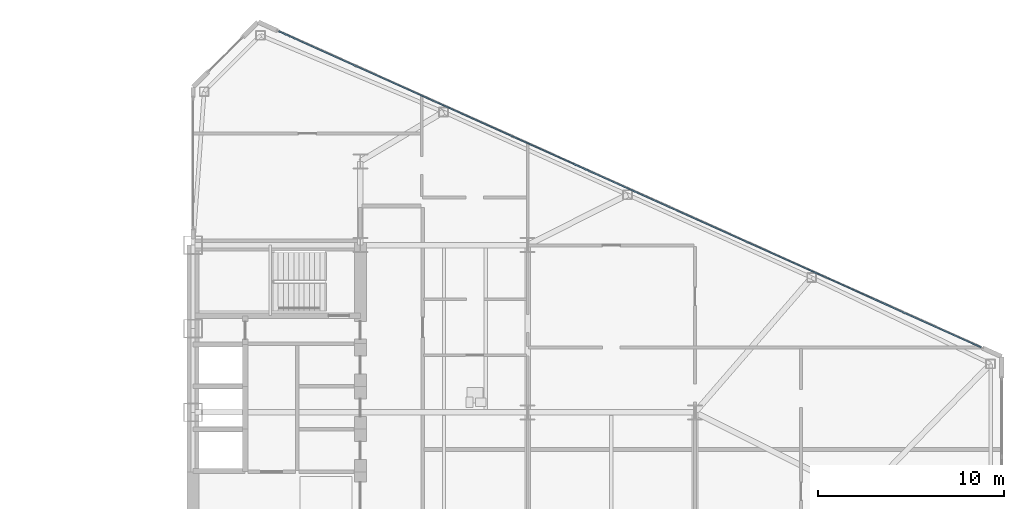
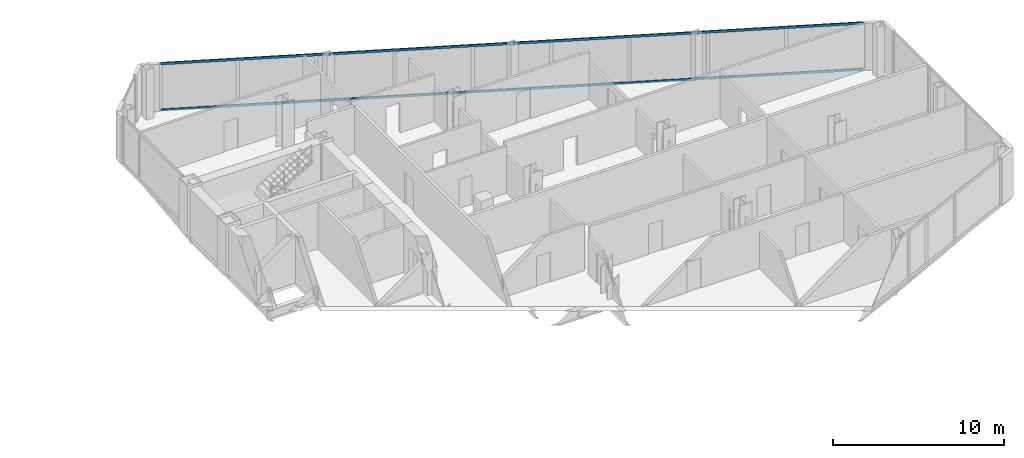
# One storey, part 14 of 27: 2 members, 1 element without a shape of its own.
"""IFC4 building model written with IfcOpenShell, lengths in metres."""

from ifc_helpers import new_model, si_unit, direction, frame, origin, origin_2d, place, context, subcontext, project, spatial, rectangle, extrude, source, transform, mapped, material, layer, layer_set, material_profile, profile_set, type_object, type_shapes, element, aggregate, save


model = new_model("IFC4")

# Units and contexts
model_context = context("Model", 3, precision=1e-05, world=origin(), true_north=direction((0.0, 1.0)))
body_context = subcontext(model_context, "Body", "Model", "MODEL_VIEW")
ifc_project = project(units=[si_unit("LENGTHUNIT", "METRE"), si_unit("AREAUNIT", "SQUARE_METRE"), si_unit("VOLUMEUNIT", "CUBIC_METRE"), si_unit("PLANEANGLEUNIT", "RADIAN"), si_unit("MASSUNIT", "GRAM", prefix="KILO")], contexts=[model_context])

# Site, building, storey
site_placement = place(None, origin())
site = spatial("IfcSite", under=ifc_project, at=site_placement, CompositionType="ELEMENT")
building_placement = place(site_placement, origin())
building = spatial("IfcBuilding", under=site, at=building_placement, Name="Seokmaru Belvedere", CompositionType="ELEMENT")
storey_placement = place(building_placement, frame((0.0, 0.0, 103.199951171875)))
storey = spatial("IfcBuildingStorey", under=building, at=storey_placement, Name="L27", CompositionType="ELEMENT", Elevation=103.199951171875)

# Curtain wall, members
ifc_material_1 = material(Name="Bronze Triple Insulating Glass", Category="glass")
ifc_layer = layer(ifc_material_1, 0.195068359375)
ifc_layer_set = layer_set([ifc_layer], Name="Bronze Triple Insulating Glass")
curtain_wall_type = type_object("IfcCurtainWallType", Name="Lower-Mid Tapered Curtain Wall System CW-3", PredefinedType="NOTDEFINED", material=ifc_layer_set)
curtain_wall_placement = place(storey_placement, origin())
curtain_wall = element("IfcCurtainWall", 1, at=curtain_wall_placement, inside=storey, type_object=curtain_wall_type, Name="L27 Curtain Wall EF3", PredefinedType="NOTDEFINED")
ifc_material_2 = material(Name="Anodised Bronze Aluminium", Category="aluminium")
ifc_material_profile = material_profile(ifc_material_2, rectangle(XDim=0.070068359375, YDim=0.1650390625, at=origin_2d()), Name="CW-T-70x165")
ifc_profile_set = profile_set([ifc_material_profile], Name="Anodised Bronze Aluminium")
member_type = type_object("IfcMemberType", Name="Bronze Unitised Transom 70x165", PredefinedType="USERDEFINED", material=ifc_profile_set)
shared_shape = source(origin(), body_context, "Body", "SweptSolid", [
    extrude(rectangle(XDim=0.070068359375, YDim=0.1650390625, at=origin_2d()), origin(), (0.0, 0.0, 1.0), 41.423583984375),
])
type_shapes(member_type, [shared_shape])
member_1_placement = place(storey_placement, frame((69.887451171875, 8.00048828125, 0.03515625), z_axis=(-0.911918637916, 0.410371048956, 0.0), x_axis=(-0.410371048956, -0.911918637916, 0.0)))
member_1 = element("IfcMember", 2, at=member_1_placement, type_object=member_type, Name="CW:L27:EF3 Continuous Transom 1", ObjectType="TRANSOM", PredefinedType="USERDEFINED", context=body_context, shape_type="MappedRepresentation", body=[
    mapped(shared_shape, transform((0.0, 0.0, 0.0), scale=1.0)),
])
member_2_placement = place(storey_placement, frame((69.887451171875, 8.00048828125, 3.344970703125), z_axis=(-0.911918637916, 0.410371048956, 0.0), x_axis=(-0.410371048956, -0.911918637916, 0.0)))
member_2 = element("IfcMember", 3, at=member_2_placement, type_object=member_type, Name="CW:L27:EF3 Continuous Transom 2", ObjectType="TRANSOM", PredefinedType="USERDEFINED", context=body_context, shape_type="MappedRepresentation", body=[
    mapped(shared_shape, transform((0.0, 0.0, 0.0), scale=1.0)),
])
aggregate(curtain_wall, [member_1, member_2])

save(model, "model.ifc")
